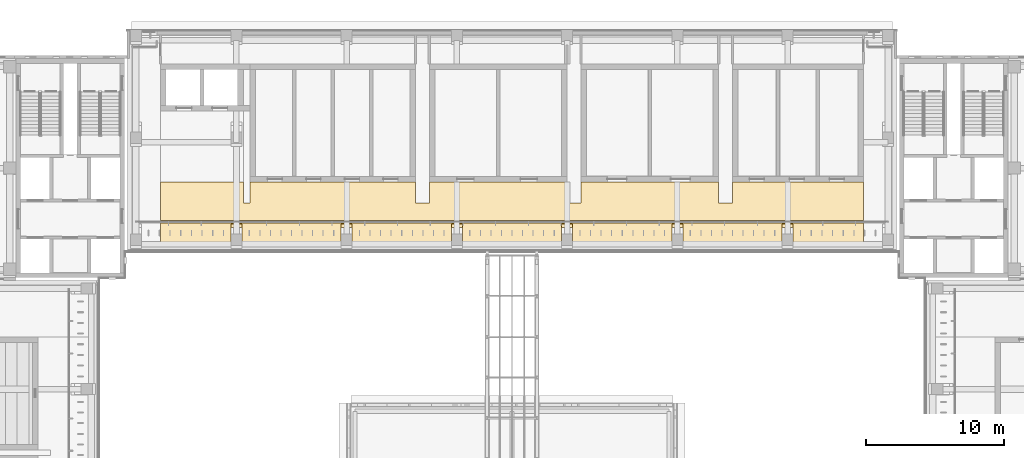
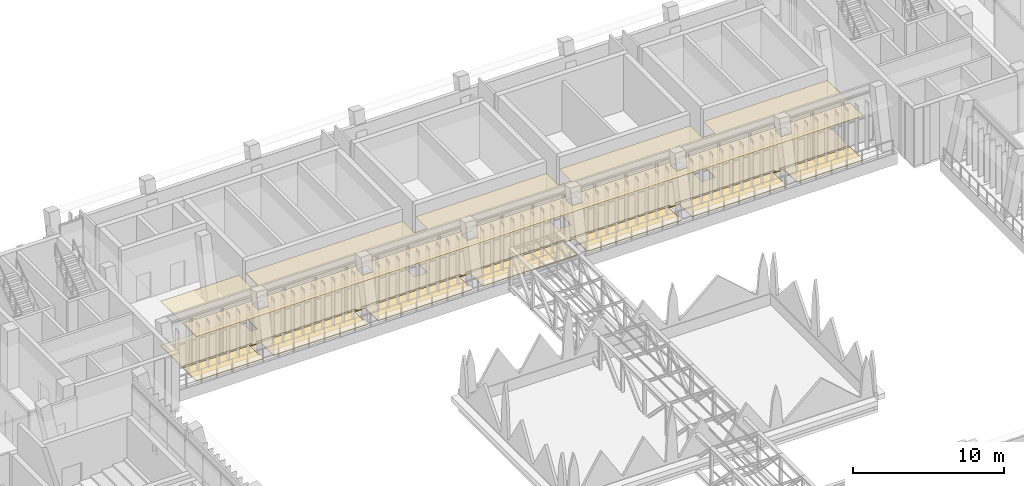
# One storey, part 135 of 141: 2 coverings.
"""IFC4 building model written with IfcOpenShell, lengths in metres."""

from ifc_helpers import new_model, si_unit, direction, frame, origin, place, context, subcontext, project, spatial, polyline, outline, extrude, material, layer, layer_set, type_object, element, save


model = new_model("IFC4")

# Units and contexts
model_context = context("Model", 3, precision=1e-05, world=origin(), true_north=direction((0.0, 1.0)))
body_context = subcontext(model_context, "Body", "Model", "MODEL_VIEW")
ifc_project = project(units=[si_unit("LENGTHUNIT", "METRE"), si_unit("AREAUNIT", "SQUARE_METRE"), si_unit("VOLUMEUNIT", "CUBIC_METRE"), si_unit("PLANEANGLEUNIT", "RADIAN"), si_unit("MASSUNIT", "GRAM", prefix="KILO")], contexts=[model_context])

# Site, building, storey
site_placement = place(None, origin())
site = spatial("IfcSite", under=ifc_project, at=site_placement, CompositionType="ELEMENT")
building_placement = place(site_placement, origin())
building = spatial("IfcBuilding", under=site, at=building_placement, Name="Lantern Court Media Centre", CompositionType="ELEMENT")
storey_placement = place(building_placement, frame((0.0, 0.0, 9.60009765625)))
storey = spatial("IfcBuildingStorey", under=building, at=storey_placement, Name="L02", CompositionType="ELEMENT", Elevation=9.60009765625)

# Coverings
ifc_material_1 = material(Name="Mineral fibre ceiling tile")
ifc_layer_1 = layer(ifc_material_1, 0.02001953125)
ifc_layer_set_1 = layer_set([ifc_layer_1], Name="Mineral fibre ceiling tile")
covering_type_1 = type_object("IfcCoveringType", Name="Suspended ceiling tile", PredefinedType="CEILING", material=ifc_layer_set_1)
covering_1_placement = place(storey_placement, frame((0.0, 0.0, 3.599853515625)))
element("IfcCovering", 1, at=covering_1_placement, inside=storey, type_object=covering_type_1, Name="Corridor ceiling", PredefinedType="CEILING", context=body_context, shape_type="SweptSolid", body=[
    extrude(outline(polyline([(67.0, 101.5), (68.0, 101.5), (68.0, 103.049560546875), (77.5, 103.049560546875), (77.5, 100.2255859375), (72.199462890625, 100.22509765625), (72.199951171875, 100.074462890625), (77.5, 100.074462890625), (77.5, 98.300048828125), (26.5, 98.300048828125), (26.5, 100.074462890625), (31.800537109375, 100.074951171875), (31.800048828125, 100.2255859375), (26.5, 100.2255859375), (26.5, 103.050048828125), (32.5, 103.050048828125), (32.5, 101.5), (33.0, 101.5), (33.0, 103.049560546875), (45.0, 103.049560546875), (45.0, 101.5), (46.0, 101.5), (46.0, 103.049560546875), (56.0, 103.049560546875), (56.0, 101.5), (57.0, 101.5), (57.0, 103.049560546875), (67.0, 103.049560546875), (67.0, 101.5)]), holes=[polyline([(72.39990234375, 99.199462890625), (72.400390625, 99.75244140625), (71.599609375, 99.75244140625), (71.599609375, 99.199462890625), (72.39990234375, 99.199462890625)]), polyline([(72.39990234375, 98.95166015625), (72.400146484375, 99.00048828125), (71.599609375, 99.0), (71.599853515625, 98.95166015625), (72.39990234375, 98.95166015625)]), polyline([(64.199951171875, 100.2255859375), (64.199951171875, 100.074462890625), (71.800537109375, 100.074951171875), (71.800048828125, 100.2255859375), (64.199951171875, 100.2255859375)]), polyline([(64.39990234375, 98.95166015625), (64.400146484375, 99.00048828125), (63.599609375, 99.0), (63.599853515625, 98.95166015625), (64.39990234375, 98.95166015625)]), polyline([(64.39990234375, 99.199462890625), (64.400390625, 99.75244140625), (63.599609375, 99.75244140625), (63.599609375, 99.199462890625), (64.39990234375, 99.199462890625)]), polyline([(56.199951171875, 100.2255859375), (56.199951171875, 100.074462890625), (63.800537109375, 100.074951171875), (63.800048828125, 100.2255859375), (56.199951171875, 100.2255859375)]), polyline([(56.39990234375, 98.95166015625), (56.400146484375, 99.00048828125), (55.599609375, 99.0), (55.599853515625, 98.95166015625), (56.39990234375, 98.95166015625)]), polyline([(56.39990234375, 99.199462890625), (56.400390625, 99.75244140625), (55.599609375, 99.75244140625), (55.599609375, 99.199462890625), (56.39990234375, 99.199462890625)]), polyline([(48.199951171875, 100.2255859375), (48.199951171875, 100.074462890625), (55.800537109375, 100.074951171875), (55.800048828125, 100.2255859375), (48.199951171875, 100.2255859375)]), polyline([(48.39990234375, 99.199462890625), (48.400390625, 99.75244140625), (47.599609375, 99.75244140625), (47.599609375, 99.199462890625), (48.39990234375, 99.199462890625)]), polyline([(48.39990234375, 98.95166015625), (48.400146484375, 99.00048828125), (47.599609375, 99.0), (47.599853515625, 98.95166015625), (48.39990234375, 98.95166015625)]), polyline([(40.199951171875, 100.2255859375), (40.199951171875, 100.074462890625), (47.800537109375, 100.074951171875), (47.800048828125, 100.2255859375), (40.199951171875, 100.2255859375)]), polyline([(40.39990234375, 98.95166015625), (40.400146484375, 99.00048828125), (39.599609375, 99.0), (39.599853515625, 98.95166015625), (40.39990234375, 98.95166015625)]), polyline([(40.39990234375, 99.199462890625), (40.400390625, 99.75244140625), (39.599609375, 99.75244140625), (39.599609375, 99.199462890625), (40.39990234375, 99.199462890625)]), polyline([(32.199951171875, 100.2255859375), (32.199951171875, 100.074462890625), (39.800537109375, 100.074951171875), (39.800048828125, 100.2255859375), (32.199951171875, 100.2255859375)]), polyline([(32.39990234375, 99.199462890625), (32.400390625, 99.75244140625), (31.599609375, 99.75244140625), (31.599609375, 99.199462890625), (32.39990234375, 99.199462890625)]), polyline([(32.39990234375, 98.95166015625), (32.400146484375, 99.00048828125), (31.599609375, 99.0), (31.599853515625, 98.95166015625), (32.39990234375, 98.95166015625)])]), origin(), (0.0, 0.0, 1.0), 0.02001953125),
])
ifc_material_2 = material(Name="Terrazzo")
ifc_layer_2 = layer(ifc_material_2, 0.050048828125)
ifc_layer_set_2 = layer_set([ifc_layer_2], Name="Terrazzo")
covering_type_2 = type_object("IfcCoveringType", Name="Terrazzo floor finish", PredefinedType="FLOORING", material=ifc_layer_set_2)
covering_2_placement = place(storey_placement, origin())
element("IfcCovering", 2, at=covering_2_placement, inside=storey, type_object=covering_type_2, Name="Corridor floor finish", PredefinedType="FLOORING", context=body_context, shape_type="SweptSolid", body=[
    extrude(outline(polyline([(67.0, 101.5), (68.0, 101.5), (68.0, 103.044921875), (77.5, 103.044921875), (77.5, 100.22998046875), (72.195068359375, 100.22509765625), (72.199951171875, 100.070068359375), (77.5, 100.070068359375), (77.5, 98.300048828125), (72.405029296875, 98.300048828125), (72.39990234375, 100.0048828125), (71.595458984375, 100.001953125), (71.594970703125, 98.300048828125), (64.405029296875, 98.300048828125), (64.39990234375, 100.0048828125), (63.595458984375, 100.001953125), (63.594970703125, 98.300048828125), (56.405029296875, 98.300048828125), (56.39990234375, 100.0048828125), (55.595458984375, 100.001953125), (55.594970703125, 98.300048828125), (48.405029296875, 98.300048828125), (48.39990234375, 100.0048828125), (47.595458984375, 100.001953125), (47.594970703125, 98.300048828125), (40.405029296875, 98.300048828125), (40.39990234375, 100.0048828125), (39.595458984375, 100.001953125), (39.594970703125, 98.300048828125), (32.405029296875, 98.300048828125), (32.39990234375, 100.0048828125), (31.595458984375, 100.001953125), (31.594970703125, 98.300048828125), (26.5, 98.300048828125), (26.5, 100.070068359375), (31.804931640625, 100.074951171875), (31.800048828125, 100.22998046875), (26.5, 100.22998046875), (26.5, 103.050048828125), (32.5, 103.050048828125), (32.5, 101.5), (33.0, 101.5), (33.0, 103.044921875), (45.0, 103.044921875), (45.0, 101.5), (46.0, 101.5), (46.0, 103.044921875), (56.0, 103.044921875), (56.0, 101.5), (57.0, 101.5), (57.0, 103.044921875), (67.0, 103.044921875), (67.0, 101.5)]), holes=[polyline([(64.199951171875, 100.22998046875), (64.199951171875, 100.070068359375), (71.804931640625, 100.074951171875), (71.800048828125, 100.22998046875), (64.199951171875, 100.22998046875)]), polyline([(56.195068359375, 100.074951171875), (63.800048828125, 100.070068359375), (63.804931640625, 100.22509765625), (56.199951171875, 100.22998046875), (56.195068359375, 100.074951171875)]), polyline([(48.199951171875, 100.22998046875), (48.199951171875, 100.070068359375), (55.804931640625, 100.074951171875), (55.800048828125, 100.22998046875), (48.199951171875, 100.22998046875)]), polyline([(40.199951171875, 100.22998046875), (40.199951171875, 100.070068359375), (47.804931640625, 100.074951171875), (47.800048828125, 100.22998046875), (40.199951171875, 100.22998046875)]), polyline([(32.199951171875, 100.22998046875), (32.199951171875, 100.070068359375), (39.804931640625, 100.074951171875), (39.800048828125, 100.22998046875), (32.199951171875, 100.22998046875)])]), origin(), (0.0, 0.0, 1.0), 0.0498046875),
])

save(model, "model.ifc")
